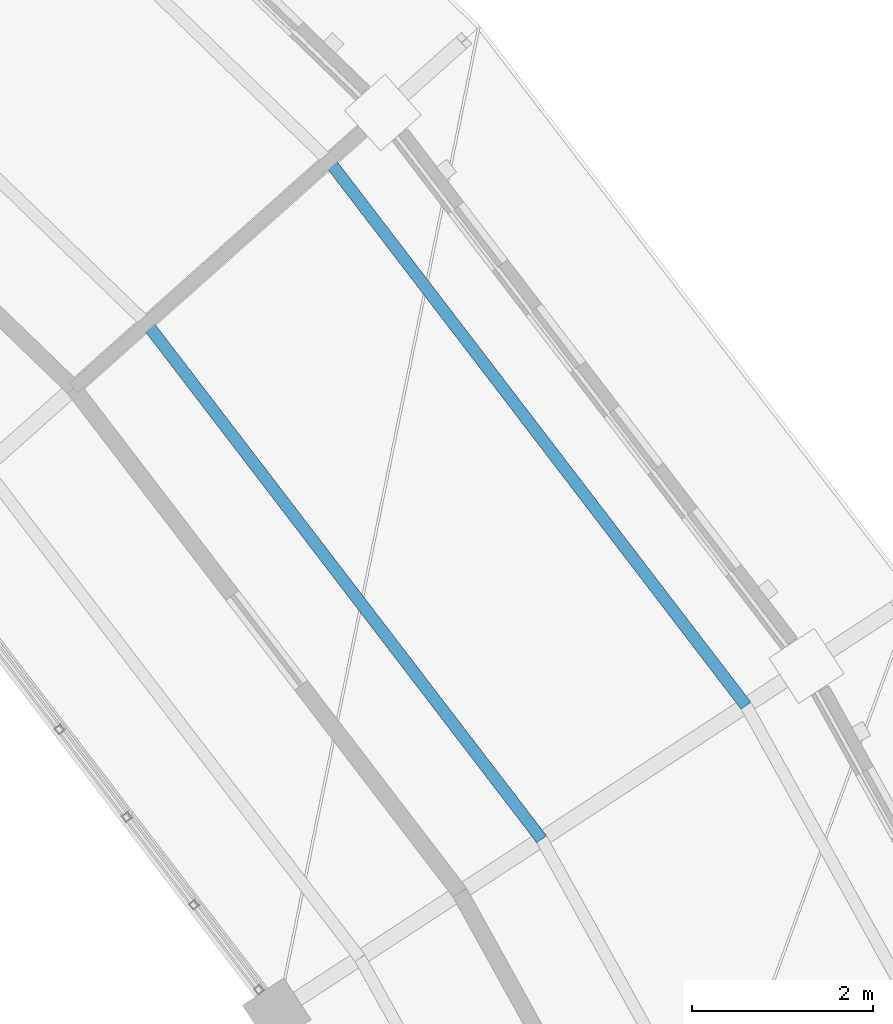
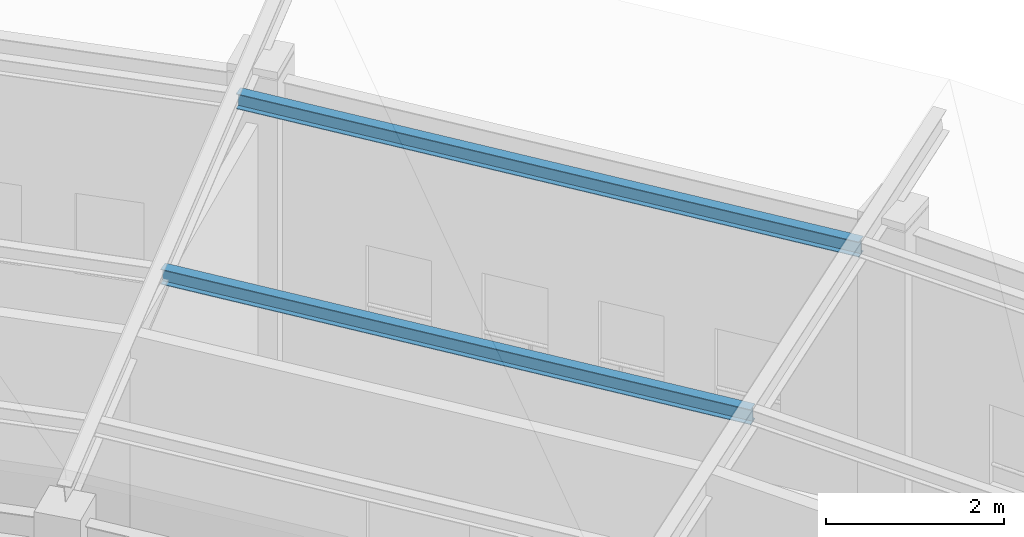
# One storey, part 84 of 149: 2 members.
"""IFC4 building model written with IfcOpenShell, lengths in metres."""

import ifcopenshell
import ifcopenshell.guid

model = None  # the IFC model being written
_history = None  # IfcOwnerHistory: only IFC2X3 demands one
_inside = {}  # id of a spatial element -> (the spatial element, [elements in it])
_under = {}  # id of a project, library or spatial element -> (it, [spatial elements below it])
_declared = {}  # id of a project -> (the project, [libraries it declares])
_typed = {}  # id of a type object -> (the type object, [elements of that type])
_made_of = {}  # id of a material, layer set ... -> (it, [elements and type objects made of it])


def new_model(schema):
    """Start an empty IFC model of exactly this schema.

    Asked for "IFC4X3", IfcOpenShell would pick the latest addendum, in which some entities
    have other attributes; the version numbers below select the first issue.
    IFC2X3 requires an IfcOwnerHistory on every rooted entity: one is made here for all.
    """
    global model, _history
    if schema == "IFC4X3":
        model = ifcopenshell.file(schema_version=(4, 3, 0, 0))
    else:
        model = ifcopenshell.file(schema=schema)
    _inside.clear()
    _under.clear()
    _declared.clear()
    _typed.clear()
    _made_of.clear()
    _history = None
    if model.schema == "IFC2X3":
        org = make("IfcOrganization", Name="unknown")
        user = make(
            "IfcPersonAndOrganization",
            ThePerson=make("IfcPerson", FamilyName="unknown"),
            TheOrganization=org,
        )
        app = make(
            "IfcApplication",
            ApplicationDeveloper=org,
            Version="unknown",
            ApplicationFullName="unknown",
            ApplicationIdentifier="unknown",
        )
        _history = make(
            "IfcOwnerHistory",
            OwningUser=user,
            OwningApplication=app,
            ChangeAction="ADDED",
            CreationDate=0,
        )
    return model


def make(cls, **values):
    """One entity of the class cls with the attributes given. An attribute that is None is left unset."""
    return model.create_entity(
        cls, **{name: value for name, value in values.items() if value is not None}
    )


def rooted(cls, **values):
    """An entity with a GlobalId (a new one), such as an element, a storey or a relation."""
    return make(cls, GlobalId=ifcopenshell.guid.new(), OwnerHistory=_history, **values)


def si_unit(unit_type, name, prefix=None):
    """IfcSIUnit, for example si_unit("LENGTHUNIT", "METRE", prefix="MILLI")."""
    return make("IfcSIUnit", UnitType=unit_type, Prefix=prefix, Name=name)


def assignment(units):
    """IfcUnitAssignment: the units of a project."""
    return None if units is None else make("IfcUnitAssignment", Units=units)


def point(xyz):
    """IfcCartesianPoint."""
    return None if xyz is None else make("IfcCartesianPoint", Coordinates=xyz)


def direction(xyz):
    """IfcDirection."""
    return None if xyz is None else make("IfcDirection", DirectionRatios=xyz)


def frame(location, z_axis=None, x_axis=None):
    """IfcAxis2Placement3D, a coordinate frame: its origin and axes. An axis left out is left unset."""
    return make(
        "IfcAxis2Placement3D",
        Location=point(location),
        Axis=direction(z_axis),
        RefDirection=direction(x_axis),
    )


def frame_2d(location, x_axis=None):
    """IfcAxis2Placement2D, a coordinate frame in the plane: its origin and x axis."""
    return make(
        "IfcAxis2Placement2D", Location=point(location), RefDirection=direction(x_axis)
    )


def origin():
    """The frame at (0, 0, 0) with its axes left unset."""
    return frame((0.0, 0.0, 0.0))


def origin_2d():
    """The frame at (0, 0) in the plane with its x axis left unset."""
    return frame_2d((0.0, 0.0))


def place(relative_to, where):
    """IfcLocalPlacement: puts the frame where relative to a parent placement (None: the world)."""
    return make(
        "IfcLocalPlacement", PlacementRelTo=relative_to, RelativePlacement=where
    )


def context(
    kind, dimensions, precision=None, world=None, true_north=None, identifier=None
):
    """IfcGeometricRepresentationContext, for example the 3D "Model" context."""
    return make(
        "IfcGeometricRepresentationContext",
        ContextIdentifier=identifier,
        ContextType=kind,
        CoordinateSpaceDimension=dimensions,
        Precision=precision,
        WorldCoordinateSystem=world,
        TrueNorth=true_north,
    )


def subcontext(parent, identifier, kind, view, scale=None):
    """IfcGeometricRepresentationSubContext, for example "Body" below "Model"."""
    return make(
        "IfcGeometricRepresentationSubContext",
        ContextIdentifier=identifier,
        ContextType=kind,
        ParentContext=parent,
        TargetScale=scale,
        TargetView=view,
    )


def project(units=None, contexts=None):
    """IfcProject with its units and contexts."""
    return rooted(
        "IfcProject",
        Name="project",
        RepresentationContexts=contexts,
        UnitsInContext=assignment(units),
    )


def spatial(cls, under=None, at=None, **own):
    """A site, building, storey or space (cls), placed at a placement, below another one or the project."""
    s = rooted(cls, ObjectPlacement=at, **own)
    if under is not None:
        _under.setdefault(under.id(), (under, []))[1].append(s)
    return s


def profile(cls, at=None, kind="AREA", **sizes):
    """A parametric profile (cls). Its sizes go by their IFC names, for example OverallWidth=200.0."""
    return make(cls, ProfileType=kind, Position=at, **sizes)


def i_section(**sizes):
    """IfcIShapeProfileDef."""
    return profile("IfcIShapeProfileDef", **sizes)


def extrude(swept, where, along, depth):
    """IfcExtrudedAreaSolid: the profile swept, set in the frame where, extruded along a direction by depth."""
    return make(
        "IfcExtrudedAreaSolid",
        SweptArea=swept,
        Position=where,
        ExtrudedDirection=direction(along),
        Depth=depth,
    )


def shape(context_of_items, identifier, shape_type, items):
    """IfcShapeRepresentation: the items that make up one representation, for example the "Body"."""
    return make(
        "IfcShapeRepresentation",
        ContextOfItems=context_of_items,
        RepresentationIdentifier=identifier,
        RepresentationType=shape_type,
        Items=items,
    )


def material(Name=None, Category=None):
    """IfcMaterial."""
    return make("IfcMaterial", Name=Name, Category=Category)


def material_profile(
    of_material, cross_section, Name=None, Category=None, Priority=None
):
    """IfcMaterialProfile: a cross section and its material."""
    return make(
        "IfcMaterialProfile",
        Name=Name,
        Material=of_material,
        Profile=cross_section,
        Priority=Priority,
        Category=Category,
    )


def profile_set(profiles, Name=None, composite=None):
    """IfcMaterialProfileSet."""
    return make(
        "IfcMaterialProfileSet",
        Name=Name,
        MaterialProfiles=profiles,
        CompositeProfile=composite,
    )


def made_of(thing, what):
    """Note that an element or type object is made of a material, layer set ...; save() writes the relation."""
    if what is not None:
        _made_of.setdefault(what.id(), (what, []))[1].append(thing)
    return thing


def type_object(cls, material=None, **own):
    """A type object (cls), such as IfcWallType, which elements share."""
    return made_of(rooted(cls, **own), material)


def element(
    cls,
    number,
    at=None,
    inside=None,
    cuts=None,
    type_object=None,
    material=None,
    context=None,
    identifier="Body",
    shape_type=None,
    held_by="IfcProductDefinitionShape",
    body=None,
    shapes=None,
    **own,
):
    """One element of the class cls, such as IfcWall. Its Tag is "e" and its number.

    at: its placement. inside: the storey or other place that contains it. cuts: it is an
    opening in that element (IfcRelVoidsElement). A single representation is given by context,
    identifier, shape_type and body (its items); several are given by shapes. held_by: the class
    of the entity that holds the representations. save() writes the other relations.
    """
    e = rooted(cls, Tag="e%d" % number, ObjectPlacement=at, **own)
    if body is not None:
        shapes = [shape(context, identifier, shape_type, body)]
    if shapes is not None:
        e.Representation = make(held_by, Representations=shapes)
    if inside is not None:
        _inside.setdefault(inside.id(), (inside, []))[1].append(e)
    if cuts is not None:
        rooted(
            "IfcRelVoidsElement", RelatingBuildingElement=cuts, RelatedOpeningElement=e
        )
    if type_object is not None:
        _typed.setdefault(type_object.id(), (type_object, []))[1].append(e)
    return made_of(e, material)


def aggregate(whole, parts):
    """IfcRelAggregates: a whole, such as a stair, and the parts it consists of."""
    return rooted("IfcRelAggregates", RelatingObject=whole, RelatedObjects=parts)


def save(model, path):
    """Write the relations noted so far, then the file.

    IfcRelAggregates (storeys below a building ...), IfcRelContainedInSpatialStructure (elements
    in a storey), IfcRelDefinesByType, IfcRelAssociatesMaterial and IfcRelDeclares: one each for
    every whole, place, type object, material and project.
    """
    for whole, parts in _under.values():
        aggregate(whole, parts)
    for where, things in _inside.values():
        rooted(
            "IfcRelContainedInSpatialStructure",
            RelatedElements=things,
            RelatingStructure=where,
        )
    for kind, things in _typed.values():
        rooted("IfcRelDefinesByType", RelatedObjects=things, RelatingType=kind)
    for what, things in _made_of.values():
        rooted("IfcRelAssociatesMaterial", RelatedObjects=things, RelatingMaterial=what)
    for by, libraries in _declared.values():
        rooted("IfcRelDeclares", RelatingContext=by, RelatedDefinitions=libraries)
    model.write(path)


model = new_model("IFC4")

# Units and contexts
model_context = context("Model", 3, precision=1e-05, world=origin(), true_north=direction((0.0, 1.0)))
body_context = subcontext(model_context, "Body", "Model", "MODEL_VIEW")
ifc_project = project(units=[si_unit("LENGTHUNIT", "METRE"), si_unit("AREAUNIT", "SQUARE_METRE"), si_unit("VOLUMEUNIT", "CUBIC_METRE"), si_unit("PLANEANGLEUNIT", "RADIAN"), si_unit("MASSUNIT", "GRAM", prefix="KILO")], contexts=[model_context])

# Site, building, storey
site_placement = place(None, origin())
site = spatial("IfcSite", under=ifc_project, at=site_placement, CompositionType="ELEMENT")
building_placement = place(site_placement, origin())
building = spatial("IfcBuilding", under=site, at=building_placement, Name="Celadon Cloister-Ring School", CompositionType="ELEMENT")
storey_placement = place(building_placement, frame((0.0, 0.0, 12.5)))
storey = spatial("IfcBuildingStorey", under=building, at=storey_placement, Name="L03", CompositionType="ELEMENT", Elevation=12.5)

# Members
ifc_material = material(Name="Structural steel S355JR", Category="steel")
ifc_material_profile = material_profile(ifc_material, i_section(OverallWidth=0.133056640625, OverallDepth=0.20703125, WebThickness=0.005859375, FlangeThickness=0.00830078125, at=origin_2d()), Name="W200X27")
ifc_profile_set = profile_set([ifc_material_profile], Name="Structural steel S355JR")
member_type = type_object("IfcMemberType", Name="MP-04", PredefinedType="PURLIN", material=ifc_profile_set)
member_1_placement = place(storey_placement, frame((127.5869140625, 85.551025390625, 3.4599609375), z_axis=(-0.607907825024, 0.794007604671, 0.0), x_axis=(-0.794007604671, -0.607907825024, 0.0)))
element("IfcMember", 1, at=member_1_placement, inside=storey, type_object=member_type, Name="Structural Member 0243", PredefinedType="PURLIN", context=body_context, shape_type="SweptSolid", body=[
    extrude(i_section(OverallWidth=0.133056640625, OverallDepth=0.20703125, WebThickness=0.005859375, FlangeThickness=0.00830078125, at=origin_2d()), origin(), (0.0, 0.0, 1.0), 7.18505859375),
])
member_2_placement = place(storey_placement, frame((129.845947265625, 87.029052734375, 4.073974609375), z_axis=(-0.607870552684, 0.794036139719, 0.0), x_axis=(-0.794036139719, -0.607870552684, 0.0)))
element("IfcMember", 2, at=member_2_placement, inside=storey, type_object=member_type, Name="Structural Member 0244", PredefinedType="PURLIN", context=body_context, shape_type="SweptSolid", body=[
    extrude(i_section(OverallWidth=0.133056640625, OverallDepth=0.20703125, WebThickness=0.005859375, FlangeThickness=0.00830078125, at=origin_2d()), origin(), (0.0, 0.0, 1.0), 7.585205078125),
])

save(model, "model.ifc")
